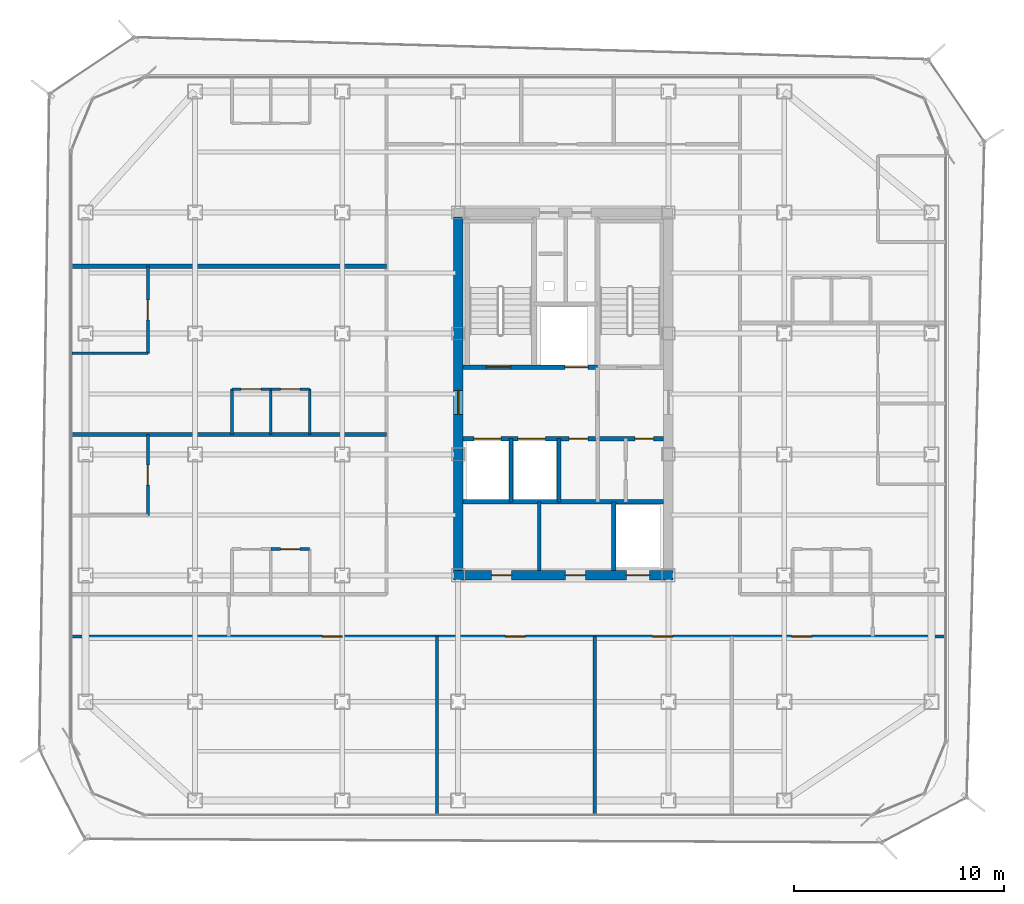
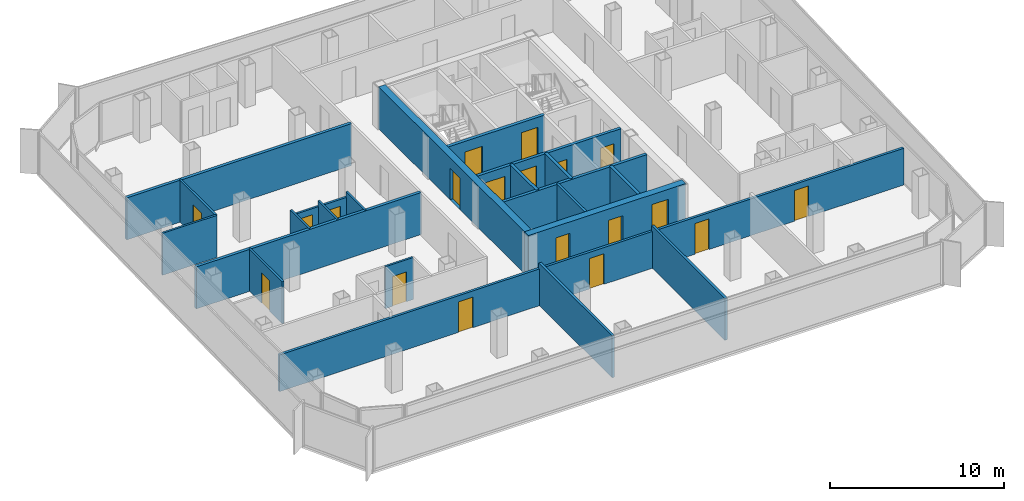
# One storey, part 10 of 15: 23 walls, 19 doors, 19 openings.
"""IFC4 building model written with IfcOpenShell, lengths in metres."""

from ifc_helpers import new_model, si_unit, direction, frame, frame_2d, origin, place, context, subcontext, project, spatial, rectangle, extrude, material, layer, layer_set, type_object, element, fill, save


model = new_model("IFC4")

# Units and contexts
model_context = context("Model", 3, precision=1e-05, world=origin(), true_north=direction((0.0, 1.0)))
body_context = subcontext(model_context, "Body", "Model", "MODEL_VIEW")
ifc_project = project(units=[si_unit("LENGTHUNIT", "METRE"), si_unit("AREAUNIT", "SQUARE_METRE"), si_unit("VOLUMEUNIT", "CUBIC_METRE"), si_unit("PLANEANGLEUNIT", "RADIAN"), si_unit("MASSUNIT", "GRAM", prefix="KILO")], contexts=[model_context])

# Site, building, storey
site_placement = place(None, origin())
site = spatial("IfcSite", under=ifc_project, at=site_placement, CompositionType="ELEMENT")
building_placement = place(site_placement, origin())
building = spatial("IfcBuilding", under=site, at=building_placement, Name="Kolveth Station Tower", CompositionType="ELEMENT")
storey_placement = place(building_placement, frame((0.0, 0.0, 193.199951171875)))
storey = spatial("IfcBuildingStorey", under=building, at=storey_placement, Name="L54", CompositionType="ELEMENT", Elevation=193.199951171875)

# Wall, openings, doors
ifc_material_1 = material(Name="Concrete C50/60", Category="concrete")
ifc_layer_1 = layer(ifc_material_1, 0.449951171875)
ifc_layer_set_1 = layer_set([ifc_layer_1], Name="Concrete C50/60")
wall_type_1 = type_object("IfcWallType", Name="Wall_CW-450", PredefinedType="SHEAR", material=ifc_layer_set_1)
wall_1_placement = place(storey_placement, frame((18.27490234375, 11.5, 0.0), z_axis=(0.0, 0.0, 1.0), x_axis=(1.0, 0.0, 0.0)))
wall_1 = element("IfcWall", 1, at=wall_1_placement, inside=storey, type_object=wall_type_1, Name="L54 Core RC Shear Wall S", PredefinedType="SHEAR", context=body_context, shape_type="SweptSolid", body=[
    extrude(rectangle(XDim=10.4501953125, YDim=0.449951171875, at=frame_2d((5.22509765625, 0.0))), origin(), (0.0, 0.0, 1.0), 2.949951171875),
])
opening_1_placement = place(wall_1_placement, frame((1.824951171875, 0.0, 0.0)))
opening_1 = element("IfcOpeningElement", 2, at=opening_1_placement, cuts=wall_1, Name="Opening ID1", PredefinedType="OPENING", context=body_context, shape_type="SweptSolid", body=[
    extrude(rectangle(XDim=0.949951171875, YDim=2.14990234375, at=frame_2d((0.47509765625, 1.074951171875))), frame((0.0, 0.23486328125, 0.0), z_axis=(0.0, -1.0, 0.0), x_axis=(1.0, 0.0, 0.0)), (0.0, 0.0, 1.0), 0.469970703125),
])
opening_2_placement = place(wall_1_placement, frame((5.324951171875, 0.0, 0.0)))
opening_2 = element("IfcOpeningElement", 3, at=opening_2_placement, cuts=wall_1, Name="Opening ID1", PredefinedType="OPENING", context=body_context, shape_type="SweptSolid", body=[
    extrude(rectangle(XDim=0.949951171875, YDim=2.14990234375, at=frame_2d((0.47509765625, 1.074951171875))), frame((0.0, 0.23486328125, 0.0), z_axis=(0.0, -1.0, 0.0), x_axis=(1.0, 0.0, 0.0)), (0.0, 0.0, 1.0), 0.469970703125),
])
opening_3_placement = place(wall_1_placement, frame((8.22509765625, 0.0, 0.0)))
opening_3 = element("IfcOpeningElement", 4, at=opening_3_placement, cuts=wall_1, Name="Opening LD1", PredefinedType="OPENING", context=body_context, shape_type="SweptSolid", body=[
    extrude(rectangle(XDim=1.10009765625, YDim=2.25, at=frame_2d((0.550048828125, 1.125))), frame((0.0, 0.23486328125, 0.0), z_axis=(0.0, -1.0, 0.0), x_axis=(1.0, 0.0, 0.0)), (0.0, 0.0, 1.0), 0.469970703125),
])
ifc_material_2 = material(Name="Acoustic hardwood leaf and aluminium frame", Category="wood")
door_type_1 = type_object("IfcDoorType", Name="Door_ID1", OperationType="NOTDEFINED", PredefinedType="DOOR", material=ifc_material_2)
door_1_placement = place(opening_1_placement, frame((0.949951171875, 0.0, 0.0), z_axis=(0.0, 0.0, 1.0), x_axis=(-1.0, 0.0, 0.0)))
door_1 = element("IfcDoor", 5, at=door_1_placement, inside=storey, type_object=door_type_1, Name="L54 Laundry Room Door", OperationType="SINGLE_SWING_RIGHT", OverallHeight=2.14990234375, OverallWidth=0.949951171875, PredefinedType="DOOR", context=body_context, shape_type="SweptSolid", body=[
    extrude(rectangle(XDim=0.949951171875, YDim=2.14990234375, at=frame_2d((0.47509765625, 1.074951171875))), frame((0.0, 0.02490234375, 0.0), z_axis=(0.0, -1.0, 0.0), x_axis=(1.0, 0.0, 0.0)), (0.0, 0.0, 1.0), 0.050048828125),
])
fill(opening_1, door_1)
door_2_placement = place(opening_2_placement, frame((0.949951171875, 0.0, 0.0), z_axis=(0.0, 0.0, 1.0), x_axis=(-1.0, 0.0, 0.0)))
door_2 = element("IfcDoor", 6, at=door_2_placement, inside=storey, type_object=door_type_1, Name="L54 Parcel Room Door", OperationType="SINGLE_SWING_LEFT", OverallHeight=2.14990234375, OverallWidth=0.949951171875, PredefinedType="DOOR", context=body_context, shape_type="SweptSolid", body=[
    extrude(rectangle(XDim=0.949951171875, YDim=2.14990234375, at=frame_2d((0.47509765625, 1.074951171875))), frame((0.0, 0.02490234375, 0.0), z_axis=(0.0, -1.0, 0.0), x_axis=(1.0, 0.0, 0.0)), (0.0, 0.0, 1.0), 0.050048828125),
])
fill(opening_2, door_2)
ifc_material_3 = material(Name="Brushed stainless steel sliding landing doors", Category="steel")
door_type_2 = type_object("IfcDoorType", Name="Door_LD1", OperationType="NOTDEFINED", PredefinedType="DOOR", material=ifc_material_3)
door_3_placement = place(opening_3_placement, frame((1.10009765625, 0.0, 0.0), z_axis=(0.0, 0.0, 1.0), x_axis=(-1.0, 0.0, 0.0)))
door_3 = element("IfcDoor", 7, at=door_3_placement, inside=storey, type_object=door_type_2, Name="L54 Lift PH1 Landing Door", OperationType="DOUBLE_DOOR_SLIDING", OverallHeight=2.25, OverallWidth=1.10009765625, PredefinedType="DOOR", context=body_context, shape_type="SweptSolid", body=[
    extrude(rectangle(XDim=1.10009765625, YDim=2.25, at=frame_2d((0.550048828125, 1.125))), frame((0.0, 0.02490234375, 0.0), z_axis=(0.0, -1.0, 0.0), x_axis=(1.0, 0.0, 0.0)), (0.0, 0.0, 1.0), 0.050048828125),
])
fill(opening_3, door_3)

# Wall, opening, door
wall_2_placement = place(storey_placement, frame((18.5, 11.72509765625, 0.0), z_axis=(0.0, 0.0, 1.0), x_axis=(0.0, 1.0, 0.0)))
wall_2 = element("IfcWall", 8, at=wall_2_placement, inside=storey, type_object=wall_type_1, Name="L54 Core RC Shear Wall W", PredefinedType="SHEAR", context=body_context, shape_type="SweptSolid", body=[
    extrude(rectangle(XDim=16.7998046875, YDim=0.449951171875, at=frame_2d((8.39990234375, 0.0))), origin(), (0.0, 0.0, 1.0), 2.949951171875),
])
opening_4_placement = place(wall_2_placement, frame((7.425048828125, 0.0, 0.0)))
opening_4 = element("IfcOpeningElement", 9, at=opening_4_placement, cuts=wall_2, Name="Opening FD1", PredefinedType="OPENING", context=body_context, shape_type="SweptSolid", body=[
    extrude(rectangle(XDim=1.14990234375, YDim=2.199951171875, at=frame_2d((0.574951171875, 1.10009765625))), frame((0.0, 0.23486328125, 0.0), z_axis=(0.0, -1.0, 0.0), x_axis=(1.0, 0.0, 0.0)), (0.0, 0.0, 1.0), 0.469970703125),
])
ifc_material_4 = material(Name="Fire-rated Steel S355 leaf and frame", Category="steel")
door_type_3 = type_object("IfcDoorType", Name="Door_FD1", OperationType="NOTDEFINED", PredefinedType="DOOR", material=ifc_material_4)
door_4_placement = place(opening_4_placement, frame((1.14990234375, 0.0, 0.0), z_axis=(0.0, 0.0, 1.0), x_axis=(-1.0, 0.0, 0.0)))
door_4 = element("IfcDoor", 10, at=door_4_placement, inside=storey, type_object=door_type_3, Name="L54 West Corridor to Firefighting Lobby Door", OperationType="SINGLE_SWING_RIGHT", OverallHeight=2.199951171875, OverallWidth=1.14990234375, PredefinedType="DOOR", context=body_context, shape_type="SweptSolid", body=[
    extrude(rectangle(XDim=1.14990234375, YDim=2.199951171875, at=frame_2d((0.574951171875, 1.10009765625))), frame((0.0, 0.02490234375, 0.0), z_axis=(0.0, -1.0, 0.0), x_axis=(1.0, 0.0, 0.0)), (0.0, 0.0, 1.0), 0.050048828125),
])
fill(opening_4, door_4)

ifc_material_5 = material(Name="Moisture-resistant gypsum partition")
ifc_layer_2 = layer(ifc_material_5, 0.135009765625)
ifc_layer_set_2 = layer_set([ifc_layer_2], Name="Moisture-resistant gypsum partition")
wall_type_2 = type_object("IfcWallType", Name="Wall_IW-135", PredefinedType="PARTITIONING", material=ifc_layer_set_2)
wall_3_placement = place(storey_placement, frame((9.60009765625, 12.75, 0.0), z_axis=(0.0, 0.0, 1.0), x_axis=(1.0, 0.0, 0.0)))
wall_3 = element("IfcWall", 11, at=wall_3_placement, inside=storey, type_object=wall_type_2, Name="L54 Partition Wall WL-L54-W1-IBHB", PredefinedType="PARTITIONING", context=body_context, shape_type="SweptSolid", body=[
    extrude(rectangle(XDim=1.849853515625, YDim=0.135009765625, at=frame_2d((0.9248046875, 0.0))), origin(), (0.0, 0.0, 1.0), 2.949951171875),
])
opening_5_placement = place(wall_3_placement, frame((0.465087890625, 0.0, 0.0)))
opening_5 = element("IfcOpeningElement", 12, at=opening_5_placement, cuts=wall_3, Name="Opening ID2", PredefinedType="OPENING", context=body_context, shape_type="SweptSolid", body=[
    extrude(rectangle(XDim=0.919921875, YDim=2.10009765625, at=frame_2d((0.4599609375, 1.050048828125))), frame((0.0, 0.077392578125, 0.0), z_axis=(0.0, -1.0, 0.0), x_axis=(1.0, 0.0, 0.0)), (0.0, 0.0, 1.0), 0.155029296875),
])
ifc_material_6 = material(Name="Moisture-resistant hardwood leaf", Category="wood")
door_type_4 = type_object("IfcDoorType", Name="Door_ID2", OperationType="NOTDEFINED", PredefinedType="DOOR", material=ifc_material_6)
door_5_placement = place(opening_5_placement, origin())
door_5 = element("IfcDoor", 13, at=door_5_placement, inside=storey, type_object=door_type_4, Name="Penthouse Flat L54-W1 Bathroom Door", OperationType="SINGLE_SWING_LEFT", OverallHeight=2.10009765625, OverallWidth=0.919921875, PredefinedType="DOOR", context=body_context, shape_type="SweptSolid", body=[
    extrude(rectangle(XDim=0.919921875, YDim=2.10009765625, at=frame_2d((0.4599609375, 1.050048828125))), frame((0.0, 0.02490234375, 0.0), z_axis=(0.0, -1.0, 0.0), x_axis=(1.0, 0.0, 0.0)), (0.0, 0.0, 1.0), 0.050048828125),
])
fill(opening_5, door_5)

wall_4_placement = place(storey_placement, frame((3.760009765625, 14.347900390625, 0.0), z_axis=(0.0, 0.0, 1.0), x_axis=(0.0, 1.0, 0.0)))
wall_4 = element("IfcWall", 14, at=wall_4_placement, inside=storey, type_object=wall_type_2, Name="L54 Partition Wall WL-L54-W1-BDV1", PredefinedType="PARTITIONING", context=body_context, shape_type="SweptSolid", body=[
    extrude(rectangle(XDim=3.85205078125, YDim=0.135009765625, at=frame_2d((1.926025390625, 0.0))), origin(), (0.0, 0.0, 1.0), 2.949951171875),
])
opening_6_placement = place(wall_4_placement, frame((1.446044921875, 0.0, 0.0)))
opening_6 = element("IfcOpeningElement", 15, at=opening_6_placement, cuts=wall_4, Name="Opening ID1", PredefinedType="OPENING", context=body_context, shape_type="SweptSolid", body=[
    extrude(rectangle(XDim=0.949951171875, YDim=2.14990234375, at=frame_2d((0.47509765625, 1.074951171875))), frame((0.0, 0.077392578125, 0.0), z_axis=(0.0, -1.0, 0.0), x_axis=(1.0, 0.0, 0.0)), (0.0, 0.0, 1.0), 0.155029296875),
])
door_6_placement = place(opening_6_placement, origin())
door_6 = element("IfcDoor", 16, at=door_6_placement, inside=storey, type_object=door_type_1, Name="Penthouse Flat L54-W1 Bedroom 1 Door", OperationType="SINGLE_SWING_RIGHT", OverallHeight=2.14990234375, OverallWidth=0.949951171875, PredefinedType="DOOR", context=body_context, shape_type="SweptSolid", body=[
    extrude(rectangle(XDim=0.949951171875, YDim=2.14990234375, at=frame_2d((0.47509765625, 1.074951171875))), frame((0.0, 0.02490234375, 0.0), z_axis=(0.0, -1.0, 0.0), x_axis=(1.0, 0.0, 0.0)), (0.0, 0.0, 1.0), 0.050048828125),
])
fill(opening_6, door_6)

wall_5_placement = place(storey_placement, frame((7.75, 20.35009765625, 0.0), z_axis=(0.0, 0.0, 1.0), x_axis=(1.0, 0.0, 0.0)))
wall_5 = element("IfcWall", 17, at=wall_5_placement, inside=storey, type_object=wall_type_2, Name="L54 Partition Wall WL-L54-W2-IBHK", PredefinedType="PARTITIONING", context=body_context, shape_type="SweptSolid", body=[
    extrude(rectangle(XDim=1.85009765625, YDim=0.135009765625, at=frame_2d((0.925048828125, 0.0))), origin(), (0.0, 0.0, 1.0), 2.5830078125),
])
opening_7_placement = place(wall_5_placement, frame((0.445068359375, 0.0, 0.0)))
opening_7 = element("IfcOpeningElement", 18, at=opening_7_placement, cuts=wall_5, Name="Opening ID1", PredefinedType="OPENING", context=body_context, shape_type="SweptSolid", body=[
    extrude(rectangle(XDim=0.949951171875, YDim=2.14990234375, at=frame_2d((0.47509765625, 1.074951171875))), frame((0.0, 0.077392578125, 0.0), z_axis=(0.0, -1.0, 0.0), x_axis=(1.0, 0.0, 0.0)), (0.0, 0.0, 1.0), 0.155029296875),
])
door_7_placement = place(opening_7_placement, origin())
door_7 = element("IfcDoor", 19, at=door_7_placement, inside=storey, type_object=door_type_1, Name="Penthouse Flat L54-W2 Kitchen Door", OperationType="SINGLE_SWING_LEFT", OverallHeight=2.14990234375, OverallWidth=0.949951171875, PredefinedType="DOOR", context=body_context, shape_type="SweptSolid", body=[
    extrude(rectangle(XDim=0.949951171875, YDim=2.14990234375, at=frame_2d((0.47509765625, 1.074951171875))), frame((0.0, 0.02490234375, 0.0), z_axis=(0.0, -1.0, 0.0), x_axis=(1.0, 0.0, 0.0)), (0.0, 0.0, 1.0), 0.050048828125),
])
fill(opening_7, door_7)

wall_6_placement = place(storey_placement, frame((9.60009765625, 20.35009765625, 0.0), z_axis=(0.0, 0.0, 1.0), x_axis=(1.0, 0.0, 0.0)))
wall_6 = element("IfcWall", 20, at=wall_6_placement, inside=storey, type_object=wall_type_2, Name="L54 Partition Wall WL-L54-W2-IBHB", PredefinedType="PARTITIONING", context=body_context, shape_type="SweptSolid", body=[
    extrude(rectangle(XDim=1.849853515625, YDim=0.135009765625, at=frame_2d((0.9248046875, 0.0))), origin(), (0.0, 0.0, 1.0), 2.5830078125),
])
opening_8_placement = place(wall_6_placement, frame((0.465087890625, 0.0, 0.0)))
opening_8 = element("IfcOpeningElement", 21, at=opening_8_placement, cuts=wall_6, Name="Opening ID2", PredefinedType="OPENING", context=body_context, shape_type="SweptSolid", body=[
    extrude(rectangle(XDim=0.919921875, YDim=2.10009765625, at=frame_2d((0.4599609375, 1.050048828125))), frame((0.0, 0.077392578125, 0.0), z_axis=(0.0, -1.0, 0.0), x_axis=(1.0, 0.0, 0.0)), (0.0, 0.0, 1.0), 0.155029296875),
])
door_8_placement = place(opening_8_placement, origin())
door_8 = element("IfcDoor", 22, at=door_8_placement, inside=storey, type_object=door_type_4, Name="Penthouse Flat L54-W2 Bathroom Door", OperationType="SINGLE_SWING_LEFT", OverallHeight=2.10009765625, OverallWidth=0.919921875, PredefinedType="DOOR", context=body_context, shape_type="SweptSolid", body=[
    extrude(rectangle(XDim=0.919921875, YDim=2.10009765625, at=frame_2d((0.4599609375, 1.050048828125))), frame((0.0, 0.02490234375, 0.0), z_axis=(0.0, -1.0, 0.0), x_axis=(1.0, 0.0, 0.0)), (0.0, 0.0, 1.0), 0.050048828125),
])
fill(opening_8, door_8)

# Walls
for number, where, z_axis, x_axis, name in (
    (23, (7.75, 18.199951171875, 0.0), (0.0, 0.0, 1.0), (0.0, 1.0, 0.0), "L54 Partition Wall WL-L54-W2-IBV0"),
    (24, (9.60009765625, 18.199951171875, 0.0), (0.0, 0.0, 1.0), (0.0, 1.0, 0.0), "L54 Partition Wall WL-L54-W2-IBV1"),
    (25, (11.449951171875, 18.199951171875, 0.0), (0.0, 0.0, 1.0), (0.0, 1.0, 0.0), "L54 Partition Wall WL-L54-W2-IBV2"),
):
    element("IfcWall", number, at=place(storey_placement, frame(where, z_axis=z_axis, x_axis=x_axis)), inside=storey, type_object=wall_type_2, Name=name, PredefinedType="PARTITIONING", context=body_context, shape_type="SweptSolid", body=[
        extrude(rectangle(XDim=2.150146484375, YDim=0.135009765625, at=frame_2d((1.0751953125, 0.0))), origin(), (0.0, 0.0, 1.0), 2.949951171875),
    ])
wall_7_placement = place(storey_placement, frame((0.159912109375, 22.06005859375, 0.0), z_axis=(0.0, 0.0, 1.0), x_axis=(1.0, 0.0, 0.0)))
element("IfcWall", 26, at=wall_7_placement, inside=storey, type_object=wall_type_2, Name="L54 Partition Wall WL-L54-W2-BDH0", PredefinedType="PARTITIONING", context=body_context, shape_type="SweptSolid", body=[
    extrude(rectangle(XDim=3.60009765625, YDim=0.135009765625, at=frame_2d((1.800048828125, 0.0))), origin(), (0.0, 0.0, 1.0), 2.949951171875),
])

# Wall, opening, door
wall_8_placement = place(storey_placement, frame((3.760009765625, 22.06005859375, 0.0), z_axis=(0.0, 0.0, 1.0), x_axis=(0.0, 1.0, 0.0)))
wall_8 = element("IfcWall", 27, at=wall_8_placement, inside=storey, type_object=wall_type_2, Name="L54 Partition Wall WL-L54-W2-BDV1", PredefinedType="PARTITIONING", context=body_context, shape_type="SweptSolid", body=[
    extrude(rectangle(XDim=4.139892578125, YDim=0.135009765625, at=frame_2d((2.06982421875, 0.0))), origin(), (0.0, 0.0, 1.0), 2.949951171875),
])
opening_9_placement = place(wall_8_placement, frame((1.590087890625, 0.0, 0.0)))
opening_9 = element("IfcOpeningElement", 28, at=opening_9_placement, cuts=wall_8, Name="Opening ID1", PredefinedType="OPENING", context=body_context, shape_type="SweptSolid", body=[
    extrude(rectangle(XDim=0.949951171875, YDim=2.14990234375, at=frame_2d((0.47509765625, 1.074951171875))), frame((0.0, 0.077392578125, 0.0), z_axis=(0.0, -1.0, 0.0), x_axis=(1.0, 0.0, 0.0)), (0.0, 0.0, 1.0), 0.155029296875),
])
door_9_placement = place(opening_9_placement, origin())
door_9 = element("IfcDoor", 29, at=door_9_placement, inside=storey, type_object=door_type_1, Name="Penthouse Flat L54-W2 Bedroom 1 Door", OperationType="SINGLE_SWING_RIGHT", OverallHeight=2.14990234375, OverallWidth=0.949951171875, PredefinedType="DOOR", context=body_context, shape_type="SweptSolid", body=[
    extrude(rectangle(XDim=0.949951171875, YDim=2.14990234375, at=frame_2d((0.47509765625, 1.074951171875))), frame((0.0, 0.02490234375, 0.0), z_axis=(0.0, -1.0, 0.0), x_axis=(1.0, 0.0, 0.0)), (0.0, 0.0, 1.0), 0.050048828125),
])
fill(opening_9, door_9)

# Wall
ifc_material_7 = material(Name="Acoustic double-stud gypsum partition")
ifc_layer_3 = layer(ifc_material_7, 0.1650390625)
ifc_layer_set_3 = layer_set([ifc_layer_3], Name="Acoustic double-stud gypsum partition")
wall_type_3 = type_object("IfcWallType", Name="Wall_IW-165", PredefinedType="PARTITIONING", material=ifc_layer_set_3)
wall_9_placement = place(storey_placement, frame((22.35009765625, 11.735107421875, 0.0), z_axis=(0.0, 0.0, 1.0), x_axis=(0.0, 1.0, 0.0)))
element("IfcWall", 30, at=wall_9_placement, inside=storey, type_object=wall_type_3, Name="L54 Partition Wall WL-L54-FR-M", PredefinedType="PARTITIONING", context=body_context, shape_type="SweptSolid", body=[
    extrude(rectangle(XDim=3.264892578125, YDim=0.1650390625, at=frame_2d((1.63232421875, 0.0))), origin(), (0.0, 0.0, 1.0), 2.949951171875),
])

# Wall, openings, doors
wall_10_placement = place(storey_placement, frame((0.159912109375, 8.60009765625, 0.0), z_axis=(0.0, 0.0, 1.0), x_axis=(1.0, 0.0, 0.0)))
wall_10 = element("IfcWall", 31, at=wall_10_placement, inside=storey, type_object=wall_type_3, Name="L54 Partition Wall WL-L54-RS", PredefinedType="PARTITIONING", context=body_context, shape_type="SweptSolid", body=[
    extrude(rectangle(XDim=41.47998046875, YDim=0.1650390625, at=frame_2d((20.739990234375, 0.0))), origin(), (0.0, 0.0, 1.0), 2.5830078125),
])
opening_10_placement = place(wall_10_placement, frame((11.889892578125, 0.0, 0.0)))
opening_10 = element("IfcOpeningElement", 32, at=opening_10_placement, cuts=wall_10, Name="Opening ID1", PredefinedType="OPENING", context=body_context, shape_type="SweptSolid", body=[
    extrude(rectangle(XDim=0.949951171875, YDim=2.14990234375, at=frame_2d((0.47509765625, 1.074951171875))), frame((0.0, 0.092529296875, 0.0), z_axis=(0.0, -1.0, 0.0), x_axis=(1.0, 0.0, 0.0)), (0.0, 0.0, 1.0), 0.18505859375),
])
opening_11_placement = place(wall_10_placement, frame((20.590087890625, 0.0, 0.0)))
opening_11 = element("IfcOpeningElement", 33, at=opening_11_placement, cuts=wall_10, Name="Opening ID1", PredefinedType="OPENING", context=body_context, shape_type="SweptSolid", body=[
    extrude(rectangle(XDim=0.949951171875, YDim=2.14990234375, at=frame_2d((0.47509765625, 1.074951171875))), frame((0.0, 0.092529296875, 0.0), z_axis=(0.0, -1.0, 0.0), x_axis=(1.0, 0.0, 0.0)), (0.0, 0.0, 1.0), 0.18505859375),
])
opening_12_placement = place(wall_10_placement, frame((27.590087890625, 0.0, 0.0)))
opening_12 = element("IfcOpeningElement", 34, at=opening_12_placement, cuts=wall_10, Name="Opening ID1", PredefinedType="OPENING", context=body_context, shape_type="SweptSolid", body=[
    extrude(rectangle(XDim=0.949951171875, YDim=2.14990234375, at=frame_2d((0.47509765625, 1.074951171875))), frame((0.0, 0.092529296875, 0.0), z_axis=(0.0, -1.0, 0.0), x_axis=(1.0, 0.0, 0.0)), (0.0, 0.0, 1.0), 0.18505859375),
])
opening_13_placement = place(wall_10_placement, frame((34.18994140625, 0.0, 0.0)))
opening_13 = element("IfcOpeningElement", 35, at=opening_13_placement, cuts=wall_10, Name="Opening ID1", PredefinedType="OPENING", context=body_context, shape_type="SweptSolid", body=[
    extrude(rectangle(XDim=0.949951171875, YDim=2.14990234375, at=frame_2d((0.47509765625, 1.074951171875))), frame((0.0, 0.092529296875, 0.0), z_axis=(0.0, -1.0, 0.0), x_axis=(1.0, 0.0, 0.0)), (0.0, 0.0, 1.0), 0.18505859375),
])
door_10_placement = place(opening_10_placement, frame((0.949951171875, 0.0, 0.0), z_axis=(0.0, 0.0, 1.0), x_axis=(-1.0, 0.0, 0.0)))
door_10 = element("IfcDoor", 36, at=door_10_placement, inside=storey, type_object=door_type_1, Name="L54 Residents' Co-Working Office 1 Door", OperationType="SINGLE_SWING_LEFT", OverallHeight=2.14990234375, OverallWidth=0.949951171875, PredefinedType="DOOR", context=body_context, shape_type="SweptSolid", body=[
    extrude(rectangle(XDim=0.949951171875, YDim=2.14990234375, at=frame_2d((0.47509765625, 1.074951171875))), frame((0.0, 0.02490234375, 0.0), z_axis=(0.0, -1.0, 0.0), x_axis=(1.0, 0.0, 0.0)), (0.0, 0.0, 1.0), 0.050048828125),
])
fill(opening_10, door_10)
door_11_placement = place(opening_11_placement, frame((0.949951171875, 0.0, 0.0), z_axis=(0.0, 0.0, 1.0), x_axis=(-1.0, 0.0, 0.0)))
door_11 = element("IfcDoor", 37, at=door_11_placement, inside=storey, type_object=door_type_1, Name="L54 Residents' Co-Working Office 2 Door", OperationType="SINGLE_SWING_LEFT", OverallHeight=2.14990234375, OverallWidth=0.949951171875, PredefinedType="DOOR", context=body_context, shape_type="SweptSolid", body=[
    extrude(rectangle(XDim=0.949951171875, YDim=2.14990234375, at=frame_2d((0.47509765625, 1.074951171875))), frame((0.0, 0.02490234375, 0.0), z_axis=(0.0, -1.0, 0.0), x_axis=(1.0, 0.0, 0.0)), (0.0, 0.0, 1.0), 0.050048828125),
])
fill(opening_11, door_11)
door_12_placement = place(opening_12_placement, frame((0.949951171875, 0.0, 0.0), z_axis=(0.0, 0.0, 1.0), x_axis=(-1.0, 0.0, 0.0)))
door_12 = element("IfcDoor", 38, at=door_12_placement, inside=storey, type_object=door_type_1, Name="L54 Residents' Meeting Room 1 Door", OperationType="SINGLE_SWING_RIGHT", OverallHeight=2.14990234375, OverallWidth=0.949951171875, PredefinedType="DOOR", context=body_context, shape_type="SweptSolid", body=[
    extrude(rectangle(XDim=0.949951171875, YDim=2.14990234375, at=frame_2d((0.47509765625, 1.074951171875))), frame((0.0, 0.02490234375, 0.0), z_axis=(0.0, -1.0, 0.0), x_axis=(1.0, 0.0, 0.0)), (0.0, 0.0, 1.0), 0.050048828125),
])
fill(opening_12, door_12)
door_13_placement = place(opening_13_placement, frame((0.949951171875, 0.0, 0.0), z_axis=(0.0, 0.0, 1.0), x_axis=(-1.0, 0.0, 0.0)))
door_13 = element("IfcDoor", 39, at=door_13_placement, inside=storey, type_object=door_type_1, Name="L54 Residents' Meeting Room 2 Door", OperationType="SINGLE_SWING_LEFT", OverallHeight=2.14990234375, OverallWidth=0.949951171875, PredefinedType="DOOR", context=body_context, shape_type="SweptSolid", body=[
    extrude(rectangle(XDim=0.949951171875, YDim=2.14990234375, at=frame_2d((0.47509765625, 1.074951171875))), frame((0.0, 0.02490234375, 0.0), z_axis=(0.0, -1.0, 0.0), x_axis=(1.0, 0.0, 0.0)), (0.0, 0.0, 1.0), 0.050048828125),
])
fill(opening_13, door_13)

# Walls
for number, where, z_axis, x_axis, name in (
    (40, (17.5, 0.159912109375, 0.0), (0.0, 0.0, 1.0), (0.0, 1.0, 0.0), "L54 Partition Wall WL-L54-RSA-P1"),
    (41, (25.0, 0.159912109375, 0.0), (0.0, 0.0, 1.0), (0.0, 1.0, 0.0), "L54 Partition Wall WL-L54-RSA-P2"),
):
    element("IfcWall", number, at=place(storey_placement, frame(where, z_axis=z_axis, x_axis=x_axis)), inside=storey, type_object=wall_type_3, Name=name, PredefinedType="PARTITIONING", context=body_context, shape_type="SweptSolid", body=[
        extrude(rectangle(XDim=8.440185546875, YDim=0.1650390625, at=frame_2d((4.22021484375, 0.0))), origin(), (0.0, 0.0, 1.0), 2.949951171875),
    ])

# Wall, openings, doors
ifc_material_8 = material(Name="Acoustic fire-rated gypsum blockwork", Category="masonry")
ifc_layer_4 = layer(ifc_material_8, 0.199951171875)
ifc_layer_set_4 = layer_set([ifc_layer_4], Name="Acoustic fire-rated gypsum blockwork")
wall_type_4 = type_object("IfcWallType", Name="Wall_IW-200", PredefinedType="PARTITIONING", material=ifc_layer_set_4)
wall_11_placement = place(storey_placement, frame((18.735107421875, 18.0, 0.0), z_axis=(0.0, 0.0, 1.0), x_axis=(1.0, 0.0, 0.0)))
wall_11 = element("IfcWall", 42, at=wall_11_placement, inside=storey, type_object=wall_type_4, Name="L54 Partition Wall WL-L54-FFL-S", PredefinedType="PARTITIONING", context=body_context, shape_type="SweptSolid", body=[
    extrude(rectangle(XDim=9.52978515625, YDim=0.199951171875, at=frame_2d((4.764892578125, 0.0))), origin(), (0.0, 0.0, 1.0), 2.949951171875),
])
opening_14_placement = place(wall_11_placement, frame((0.514892578125, 0.0, 0.0)))
opening_14 = element("IfcOpeningElement", 43, at=opening_14_placement, cuts=wall_11, Name="Opening LD2", PredefinedType="OPENING", context=body_context, shape_type="SweptSolid", body=[
    extrude(rectangle(XDim=1.300048828125, YDim=2.300048828125, at=frame_2d((0.64990234375, 1.14990234375))), frame((0.0, 0.10986328125, 0.0), z_axis=(0.0, -1.0, 0.0), x_axis=(1.0, 0.0, 0.0)), (0.0, 0.0, 1.0), 0.219970703125),
])
opening_15_placement = place(wall_11_placement, frame((2.614990234375, 0.0, 0.0)))
opening_15 = element("IfcOpeningElement", 44, at=opening_15_placement, cuts=wall_11, Name="Opening LD2", PredefinedType="OPENING", context=body_context, shape_type="SweptSolid", body=[
    extrude(rectangle(XDim=1.300048828125, YDim=2.300048828125, at=frame_2d((0.64990234375, 1.14990234375))), frame((0.0, 0.10986328125, 0.0), z_axis=(0.0, -1.0, 0.0), x_axis=(1.0, 0.0, 0.0)), (0.0, 0.0, 1.0), 0.219970703125),
])
opening_16_placement = place(wall_11_placement, frame((5.034912109375, 0.0, 0.0)))
opening_16 = element("IfcOpeningElement", 45, at=opening_16_placement, cuts=wall_11, Name="Opening RD1", PredefinedType="OPENING", context=body_context, shape_type="SweptSolid", body=[
    extrude(rectangle(XDim=0.89990234375, YDim=2.050048828125, at=frame_2d((0.449951171875, 1.02490234375))), frame((0.0, 0.10986328125, 0.0), z_axis=(0.0, -1.0, 0.0), x_axis=(1.0, 0.0, 0.0)), (0.0, 0.0, 1.0), 0.219970703125),
])
opening_17_placement = place(wall_11_placement, frame((8.1650390625, 0.0, 0.0)))
opening_17 = element("IfcOpeningElement", 46, at=opening_17_placement, cuts=wall_11, Name="Opening RD1", PredefinedType="OPENING", context=body_context, shape_type="SweptSolid", body=[
    extrude(rectangle(XDim=0.89990234375, YDim=2.050048828125, at=frame_2d((0.449951171875, 1.02490234375))), frame((0.0, 0.10986328125, 0.0), z_axis=(0.0, -1.0, 0.0), x_axis=(1.0, 0.0, 0.0)), (0.0, 0.0, 1.0), 0.219970703125),
])
ifc_material_9 = material(Name="Firefighting stainless steel sliding landing doors", Category="steel")
door_type_5 = type_object("IfcDoorType", Name="Door_LD2", OperationType="NOTDEFINED", PredefinedType="DOOR", material=ifc_material_9)
door_14_placement = place(opening_14_placement, origin())
door_14 = element("IfcDoor", 47, at=door_14_placement, inside=storey, type_object=door_type_5, Name="L54 Firefighting Lift FF1 Landing Door", OperationType="DOUBLE_DOOR_SLIDING", OverallHeight=2.300048828125, OverallWidth=1.300048828125, PredefinedType="DOOR", context=body_context, shape_type="SweptSolid", body=[
    extrude(rectangle(XDim=1.300048828125, YDim=2.300048828125, at=frame_2d((0.64990234375, 1.14990234375))), frame((0.0, 0.02490234375, 0.0), z_axis=(0.0, -1.0, 0.0), x_axis=(1.0, 0.0, 0.0)), (0.0, 0.0, 1.0), 0.050048828125),
])
fill(opening_14, door_14)
door_15_placement = place(opening_15_placement, origin())
door_15 = element("IfcDoor", 48, at=door_15_placement, inside=storey, type_object=door_type_5, Name="L54 Firefighting Lift FF2 Landing Door", OperationType="DOUBLE_DOOR_SLIDING", OverallHeight=2.300048828125, OverallWidth=1.300048828125, PredefinedType="DOOR", context=body_context, shape_type="SweptSolid", body=[
    extrude(rectangle(XDim=1.300048828125, YDim=2.300048828125, at=frame_2d((0.64990234375, 1.14990234375))), frame((0.0, 0.02490234375, 0.0), z_axis=(0.0, -1.0, 0.0), x_axis=(1.0, 0.0, 0.0)), (0.0, 0.0, 1.0), 0.050048828125),
])
fill(opening_15, door_15)
ifc_material_10 = material(Name="Fire-rated Steel S355 riser access leaf", Category="steel")
door_type_6 = type_object("IfcDoorType", Name="Door_RD1", OperationType="NOTDEFINED", PredefinedType="DOOR", material=ifc_material_10)
door_16_placement = place(opening_16_placement, frame((0.89990234375, 0.0, 0.0), z_axis=(0.0, 0.0, 1.0), x_axis=(-1.0, 0.0, 0.0)))
door_16 = element("IfcDoor", 49, at=door_16_placement, inside=storey, type_object=door_type_6, Name="L54 Core Staff WC Door", OperationType="SINGLE_SWING_LEFT", OverallHeight=2.050048828125, OverallWidth=0.89990234375, PredefinedType="DOOR", context=body_context, shape_type="SweptSolid", body=[
    extrude(rectangle(XDim=0.89990234375, YDim=2.050048828125, at=frame_2d((0.449951171875, 1.02490234375))), frame((0.0, 0.02490234375, 0.0), z_axis=(0.0, -1.0, 0.0), x_axis=(1.0, 0.0, 0.0)), (0.0, 0.0, 1.0), 0.050048828125),
])
fill(opening_16, door_16)
door_17_placement = place(opening_17_placement, frame((0.89990234375, 0.0, 0.0), z_axis=(0.0, 0.0, 1.0), x_axis=(-1.0, 0.0, 0.0)))
door_17 = element("IfcDoor", 50, at=door_17_placement, inside=storey, type_object=door_type_6, Name="L54 Core Janitor Store Door", OperationType="SINGLE_SWING_LEFT", OverallHeight=2.050048828125, OverallWidth=0.89990234375, PredefinedType="DOOR", context=body_context, shape_type="SweptSolid", body=[
    extrude(rectangle(XDim=0.89990234375, YDim=2.050048828125, at=frame_2d((0.449951171875, 1.02490234375))), frame((0.0, 0.02490234375, 0.0), z_axis=(0.0, -1.0, 0.0), x_axis=(1.0, 0.0, 0.0)), (0.0, 0.0, 1.0), 0.050048828125),
])
fill(opening_17, door_17)

# Walls
for number, where, z_axis, x_axis, name in (
    (51, (21.02001953125, 15.0, 0.0), (0.0, 0.0, 1.0), (0.0, 1.0, 0.0), "L54 Partition Wall WL-L54-FF12"),
    (52, (23.300048828125, 15.0, 0.0), (0.0, 0.0, 1.0), (0.0, 1.0, 0.0), "L54 Partition Wall WL-L54-FF2E"),
):
    element("IfcWall", number, at=place(storey_placement, frame(where, z_axis=z_axis, x_axis=x_axis)), inside=storey, type_object=wall_type_4, Name=name, PredefinedType="PARTITIONING", context=body_context, shape_type="SweptSolid", body=[
        extrude(rectangle(XDim=3.0, YDim=0.199951171875, at=frame_2d((1.5, 0.0))), origin(), (0.0, 0.0, 1.0), 2.949951171875),
    ])
wall_12_placement = place(storey_placement, frame((18.735107421875, 15.0, 0.0), z_axis=(0.0, 0.0, 1.0), x_axis=(1.0, 0.0, 0.0)))
element("IfcWall", 53, at=wall_12_placement, inside=storey, type_object=wall_type_4, Name="L54 Partition Wall WL-L54-BOH-S", PredefinedType="PARTITIONING", context=body_context, shape_type="SweptSolid", body=[
    extrude(rectangle(XDim=9.52978515625, YDim=0.199951171875, at=frame_2d((4.764892578125, 0.0))), origin(), (0.0, 0.0, 1.0), 2.949951171875),
])
wall_13_placement = place(storey_placement, frame((25.89990234375, 11.735107421875, 0.0), z_axis=(0.0, 0.0, 1.0), x_axis=(0.0, 1.0, 0.0)))
element("IfcWall", 54, at=wall_13_placement, inside=storey, type_object=wall_type_4, Name="L54 Partition Wall WL-L54-PMPH", PredefinedType="PARTITIONING", context=body_context, shape_type="SweptSolid", body=[
    extrude(rectangle(XDim=3.264892578125, YDim=0.199951171875, at=frame_2d((1.63232421875, 0.0))), origin(), (0.0, 0.0, 1.0), 2.949951171875),
])
for number, where, z_axis, x_axis, name in (
    (55, (0.159912109375, 18.199951171875, 0.0), (0.0, 0.0, 1.0), (1.0, 0.0, 0.0), "L54 Partition Wall WL-L54-RWU-1"),
    (56, (0.159912109375, 26.199951171875, 0.0), (0.0, 0.0, 1.0), (1.0, 0.0, 0.0), "L54 Partition Wall WL-L54-RWU-2"),
):
    element("IfcWall", number, at=place(storey_placement, frame(where, z_axis=z_axis, x_axis=x_axis)), inside=storey, type_object=wall_type_4, Name=name, PredefinedType="PARTITIONING", context=body_context, shape_type="SweptSolid", body=[
        extrude(rectangle(XDim=14.940185546875, YDim=0.199951171875, at=frame_2d((7.47021484375, 0.0))), origin(), (0.0, 0.0, 1.0), 2.949951171875),
    ])

# Wall, openings, doors
ifc_material_11 = material(Name="Concrete C40/50", Category="concrete")
ifc_layer_5 = layer(ifc_material_11, 0.219970703125)
ifc_layer_set_5 = layer_set([ifc_layer_5], Name="Concrete C40/50")
wall_type_5 = type_object("IfcWallType", Name="Wall_IW-220", PredefinedType="SOLIDWALL", material=ifc_layer_set_5)
wall_14_placement = place(storey_placement, frame((18.735107421875, 21.389892578125, 0.0), z_axis=(0.0, 0.0, 1.0), x_axis=(1.0, 0.0, 0.0)))
wall_14 = element("IfcWall", 57, at=wall_14_placement, inside=storey, type_object=wall_type_5, Name="L54 Stair Shaft Wall WL-L54-ST1-S", PredefinedType="SOLIDWALL", context=body_context, shape_type="SweptSolid", body=[
    extrude(rectangle(XDim=6.394775390625, YDim=0.219970703125, at=frame_2d((3.197265625, 0.0))), origin(), (0.0, 0.0, 1.0), 2.949951171875),
])
opening_18_placement = place(wall_14_placement, frame((1.114990234375, 0.0, 0.0)))
opening_18 = element("IfcOpeningElement", 58, at=opening_18_placement, cuts=wall_14, Name="Opening FD1", PredefinedType="OPENING", context=body_context, shape_type="SweptSolid", body=[
    extrude(rectangle(XDim=1.14990234375, YDim=2.199951171875, at=frame_2d((0.574951171875, 1.10009765625))), frame((0.0, 0.119873046875, 0.0), z_axis=(0.0, -1.0, 0.0), x_axis=(1.0, 0.0, 0.0)), (0.0, 0.0, 1.0), 0.239990234375),
])
opening_19_placement = place(wall_14_placement, frame((4.844970703125, 0.0, 0.0)))
opening_19 = element("IfcOpeningElement", 59, at=opening_19_placement, cuts=wall_14, Name="Opening LD1", PredefinedType="OPENING", context=body_context, shape_type="SweptSolid", body=[
    extrude(rectangle(XDim=1.10009765625, YDim=2.25, at=frame_2d((0.550048828125, 1.125))), frame((0.0, 0.119873046875, 0.0), z_axis=(0.0, -1.0, 0.0), x_axis=(1.0, 0.0, 0.0)), (0.0, 0.0, 1.0), 0.239990234375),
])
door_18_placement = place(opening_18_placement, frame((1.14990234375, 0.0, 0.0), z_axis=(0.0, 0.0, 1.0), x_axis=(-1.0, 0.0, 0.0)))
door_18 = element("IfcDoor", 60, at=door_18_placement, inside=storey, type_object=door_type_3, Name="L54 Stair ST1 Fire Door", OperationType="SINGLE_SWING_RIGHT", OverallHeight=2.199951171875, OverallWidth=1.14990234375, PredefinedType="DOOR", context=body_context, shape_type="SweptSolid", body=[
    extrude(rectangle(XDim=1.14990234375, YDim=2.199951171875, at=frame_2d((0.574951171875, 1.10009765625))), frame((0.0, 0.02490234375, 0.0), z_axis=(0.0, -1.0, 0.0), x_axis=(1.0, 0.0, 0.0)), (0.0, 0.0, 1.0), 0.050048828125),
])
fill(opening_18, door_18)
door_19_placement = place(opening_19_placement, frame((1.10009765625, 0.0, 0.0), z_axis=(0.0, 0.0, 1.0), x_axis=(-1.0, 0.0, 0.0)))
door_19 = element("IfcDoor", 61, at=door_19_placement, inside=storey, type_object=door_type_2, Name="L54 Service Lift SV1 Landing Door", OperationType="DOUBLE_DOOR_SLIDING", OverallHeight=2.25, OverallWidth=1.10009765625, PredefinedType="DOOR", context=body_context, shape_type="SweptSolid", body=[
    extrude(rectangle(XDim=1.10009765625, YDim=2.25, at=frame_2d((0.550048828125, 1.125))), frame((0.0, 0.02490234375, 0.0), z_axis=(0.0, -1.0, 0.0), x_axis=(1.0, 0.0, 0.0)), (0.0, 0.0, 1.0), 0.050048828125),
])
fill(opening_19, door_19)

save(model, "model.ifc")
